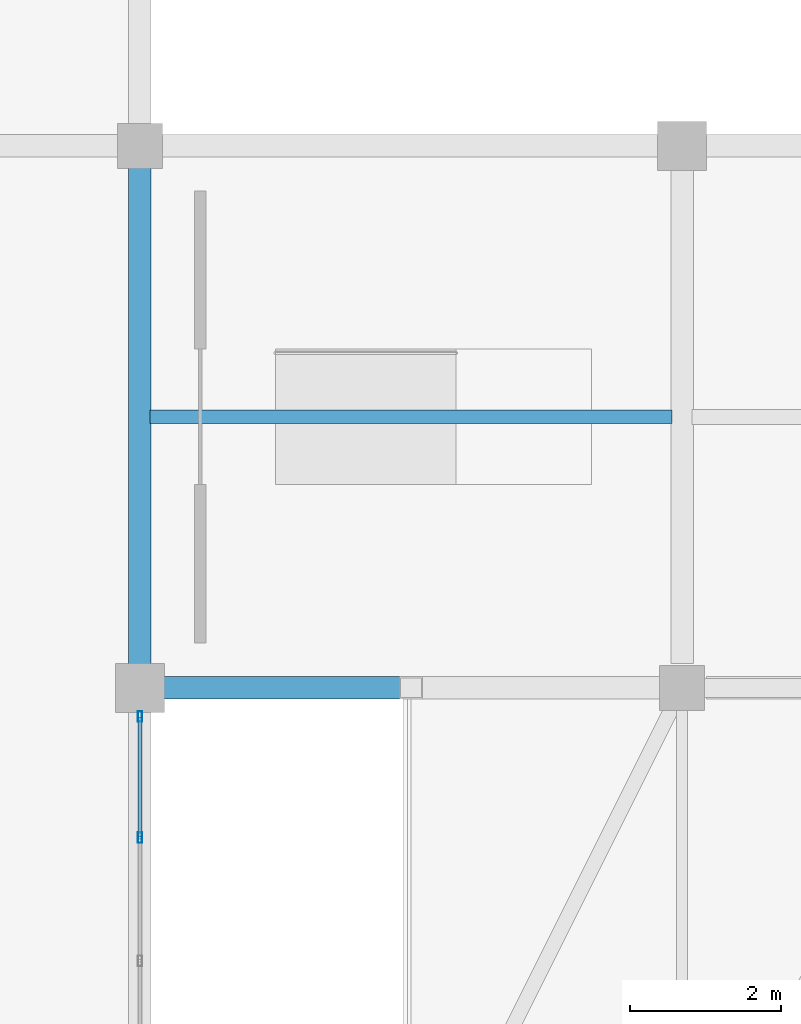
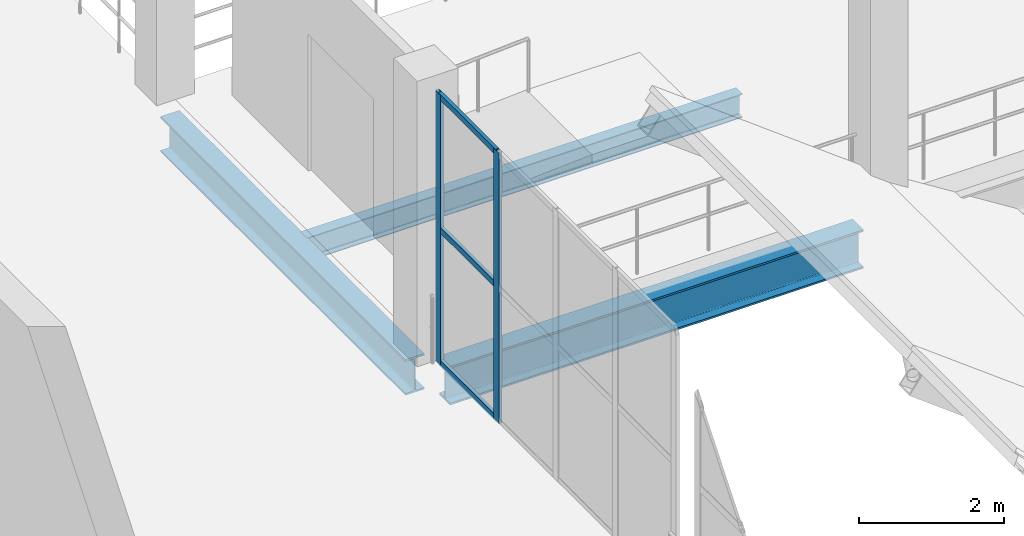
# One storey, part 32 of 105: 5 members, 3 beams, 1 element without a shape of its own.
"""IFC4 building model written with IfcOpenShell, lengths in metres."""

from ifc_helpers import new_model, si_unit, direction, frame, origin, origin_2d, place, context, subcontext, project, spatial, hollow_rectangle, i_section, extrude, material, material_profile, profile_set, type_object, element, aggregate, save


model = new_model("IFC4")

# Units and contexts
model_context = context("Model", 3, precision=1e-05, world=origin(), true_north=direction((0.0, 1.0)))
body_context = subcontext(model_context, "Body", "Model", "MODEL_VIEW")
ifc_project = project(units=[si_unit("LENGTHUNIT", "METRE"), si_unit("AREAUNIT", "SQUARE_METRE"), si_unit("VOLUMEUNIT", "CUBIC_METRE"), si_unit("PLANEANGLEUNIT", "RADIAN"), si_unit("MASSUNIT", "GRAM", prefix="KILO")], contexts=[model_context])

# Site, building, storey
site_placement = place(None, origin())
site = spatial("IfcSite", under=ifc_project, at=site_placement, CompositionType="ELEMENT")
building_placement = place(site_placement, origin())
building = spatial("IfcBuilding", under=site, at=building_placement, Name="Qandorah Velis Arena", CompositionType="ELEMENT")
storey_placement = place(building_placement, frame((0.0, 0.0, 13.800048828125)))
storey = spatial("IfcBuildingStorey", under=building, at=storey_placement, Name="L03", CompositionType="ELEMENT", Elevation=13.800048828125)

# Curtain wall, members
ifc_material_1 = material(Name="Solar-control low-E double glazing", Category="glass")
curtain_wall_type = type_object("IfcCurtainWallType", Name="ARC-CW-SYS04", PredefinedType="USERDEFINED", material=ifc_material_1)
curtain_wall_placement = place(storey_placement, origin())
curtain_wall = element("IfcCurtainWall", 1, at=curtain_wall_placement, inside=storey, type_object=curtain_wall_type, Name="Unitised curtain wall L03-172", ObjectType="UNITISED CURTAIN WALL", PredefinedType="USERDEFINED")
ifc_material_2 = material(Name="Champagne-bronze anodized aluminium 6063-T6", Category="aluminium")
ifc_material_profile_1 = material_profile(ifc_material_2, hollow_rectangle(XDim=0.054931640625, YDim=0.139892578125, WallThickness=0.0029296875, at=origin_2d()), Name="ALU MULLION 55x140")
ifc_profile_set_1 = profile_set([ifc_material_profile_1], Name="Champagne-bronze anodized aluminium 6063-T6")
member_type_1 = type_object("IfcMemberType", Name="ARC-CWM-140", PredefinedType="MULLION", material=ifc_profile_set_1)
member_1_placement = place(storey_placement, frame((122.39990234375, 41.21240234375, -0.01513671875), z_axis=(0.0, 0.0, 1.0), x_axis=(-1.0, 0.0, 0.0)))
member_1 = element("IfcMember", 2, at=member_1_placement, type_object=member_type_1, Name="CW04 mullion 4", PredefinedType="MULLION", context=body_context, shape_type="SweptSolid", body=[
    extrude(hollow_rectangle(XDim=0.054931640625, YDim=0.139892578125, WallThickness=0.0029296875, at=origin_2d()), origin(), (0.0, 0.0, 1.0), 4.56005859375),
])
member_2_placement = place(storey_placement, frame((122.39990234375, 42.822509765625, -0.01513671875), z_axis=(0.0, 0.0, 1.0), x_axis=(-1.0, 0.0, 0.0)))
member_2 = element("IfcMember", 3, at=member_2_placement, type_object=member_type_1, Name="CW04 mullion 5", PredefinedType="MULLION", context=body_context, shape_type="SweptSolid", body=[
    extrude(hollow_rectangle(XDim=0.054931640625, YDim=0.139892578125, WallThickness=0.0029296875, at=origin_2d()), origin(), (0.0, 0.0, 1.0), 4.56005859375),
])
ifc_material_profile_2 = material_profile(ifc_material_2, hollow_rectangle(XDim=0.054931640625, YDim=0.10009765625, WallThickness=0.0029296875, at=origin_2d()), Name="ALU TRANSOM 55x100")
ifc_profile_set_2 = profile_set([ifc_material_profile_2], Name="Champagne-bronze anodized aluminium 6063-T6")
member_type_2 = type_object("IfcMemberType", Name="ARC-CWT-100", PredefinedType="USERDEFINED", material=ifc_profile_set_2)
member_3_placement = place(storey_placement, frame((122.39990234375, 41.22802734375, 0.02734375), z_axis=(0.0, 1.0, 0.0), x_axis=(-1.0, 0.0, 0.0)))
member_3 = element("IfcMember", 4, at=member_3_placement, type_object=member_type_2, Name="CW04 transom 4.1", ObjectType="TRANSOM", PredefinedType="USERDEFINED", context=body_context, shape_type="SweptSolid", body=[
    extrude(hollow_rectangle(XDim=0.054931640625, YDim=0.10009765625, WallThickness=0.0029296875, at=origin_2d()), origin(), (0.0, 0.0, 1.0), 1.578857421875),
])
member_4_placement = place(storey_placement, frame((122.39990234375, 41.22802734375, 2.264892578125), z_axis=(0.0, 1.0, 0.0), x_axis=(-1.0, 0.0, 0.0)))
member_4 = element("IfcMember", 5, at=member_4_placement, type_object=member_type_2, Name="CW04 transom 4.2", ObjectType="TRANSOM", PredefinedType="USERDEFINED", context=body_context, shape_type="SweptSolid", body=[
    extrude(hollow_rectangle(XDim=0.054931640625, YDim=0.10009765625, WallThickness=0.0029296875, at=origin_2d()), origin(), (0.0, 0.0, 1.0), 1.578857421875),
])
member_5_placement = place(storey_placement, frame((122.39990234375, 41.22802734375, 4.50244140625), z_axis=(0.0, 1.0, 0.0), x_axis=(-1.0, 0.0, 0.0)))
member_5 = element("IfcMember", 6, at=member_5_placement, type_object=member_type_2, Name="CW04 transom 4.3", ObjectType="TRANSOM", PredefinedType="USERDEFINED", context=body_context, shape_type="SweptSolid", body=[
    extrude(hollow_rectangle(XDim=0.054931640625, YDim=0.10009765625, WallThickness=0.0029296875, at=origin_2d()), origin(), (0.0, 0.0, 1.0), 1.578857421875),
])
aggregate(curtain_wall, [member_1, member_2, member_3, member_4, member_5])

# Beams
ifc_material_3 = material(Name="Steel S355", Category="steel")
ifc_material_profile_3 = material_profile(ifc_material_3, i_section(OverallWidth=0.300048828125, OverallDepth=0.60009765625, WebThickness=0.015380859375, FlangeThickness=0.030029296875, FilletRadius=0.027099609375, at=origin_2d()), Name="HEB 600")
ifc_profile_set_3 = profile_set([ifc_material_profile_3], Name="Steel S355")
beam_type_1 = type_object("IfcBeamType", Name="STR-BM-HEB600", PredefinedType="BEAM", material=ifc_profile_set_3)
beam_1_placement = place(storey_placement, frame((122.39990234375, 43.5, -0.6201171875), z_axis=(0.0, 1.0, 0.0), x_axis=(-1.0, 0.0, 0.0)))
element("IfcBeam", 7, at=beam_1_placement, inside=storey, type_object=beam_type_1, Name="Primary floor girder L03 Y-318", PredefinedType="BEAM", context=body_context, shape_type="SweptSolid", body=[
    extrude(i_section(OverallWidth=0.300048828125, OverallDepth=0.60009765625, WebThickness=0.015380859375, FlangeThickness=0.030029296875, FilletRadius=0.027099609375, at=origin_2d()), origin(), (0.0, 0.0, 1.0), 6.75),
])
ifc_material_profile_4 = material_profile(ifc_material_3, i_section(OverallWidth=0.300048828125, OverallDepth=0.64990234375, WebThickness=0.01611328125, FlangeThickness=0.031005859375, FilletRadius=0.027099609375, at=origin_2d()), Name="HEB 650")
ifc_profile_set_4 = profile_set([ifc_material_profile_4], Name="Steel S355")
beam_type_2 = type_object("IfcBeamType", Name="STR-BM-HEB650", PredefinedType="BEAM", material=ifc_profile_set_4)
beam_2_placement = place(storey_placement, frame((122.699951171875, 43.199951171875, -0.64501953125), z_axis=(1.0, 0.0, 0.0), x_axis=(0.0, 1.0, 0.0)))
element("IfcBeam", 8, at=beam_2_placement, inside=storey, type_object=beam_type_2, Name="Primary floor girder L03 X-069", PredefinedType="BEAM", context=body_context, shape_type="SweptSolid", body=[
    extrude(i_section(OverallWidth=0.300048828125, OverallDepth=0.64990234375, WebThickness=0.01611328125, FlangeThickness=0.031005859375, FilletRadius=0.027099609375, at=origin_2d()), origin(), (0.0, 0.0, 1.0), 6.574951171875),
])
ifc_material_profile_5 = material_profile(ifc_material_3, i_section(OverallWidth=0.179931640625, OverallDepth=0.39990234375, WebThickness=0.008544921875, FlangeThickness=0.013427734375, FilletRadius=0.02099609375, at=origin_2d()), Name="IPE 400")
ifc_profile_set_5 = profile_set([ifc_material_profile_5], Name="Steel S355")
beam_type_3 = type_object("IfcBeamType", Name="STR-JST-IPE400", PredefinedType="JOIST", material=ifc_profile_set_5)
beam_3_placement = place(storey_placement, frame((122.534912109375, 46.800048828125, -0.52001953125), z_axis=(1.0, 0.0, 0.0), x_axis=(0.0, 1.0, 0.0)))
element("IfcBeam", 9, at=beam_3_placement, inside=storey, type_object=beam_type_3, Name="Secondary floor joist L03-094", PredefinedType="JOIST", context=body_context, shape_type="SweptSolid", body=[
    extrude(i_section(OverallWidth=0.179931640625, OverallDepth=0.39990234375, WebThickness=0.008544921875, FlangeThickness=0.013427734375, FilletRadius=0.02099609375, at=origin_2d()), origin(), (0.0, 0.0, 1.0), 6.93017578125),
])

save(model, "model.ifc")
